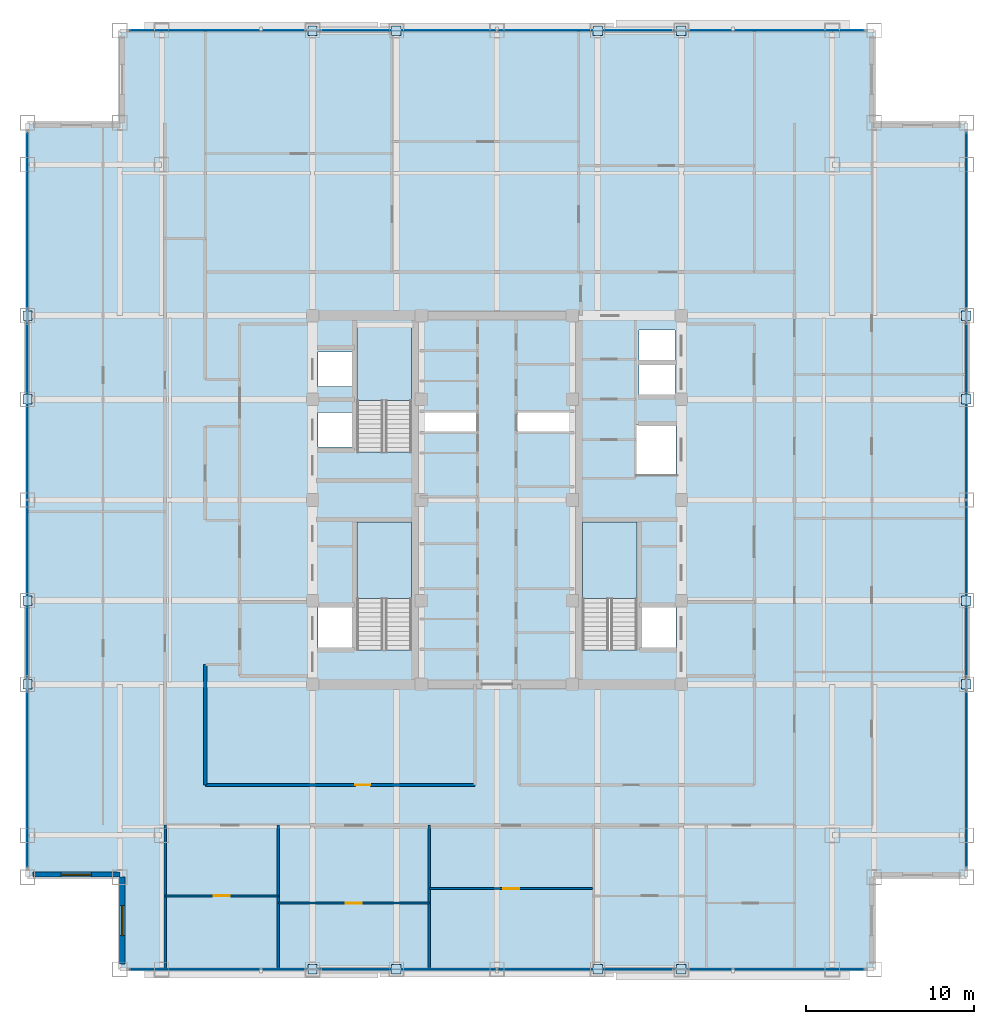
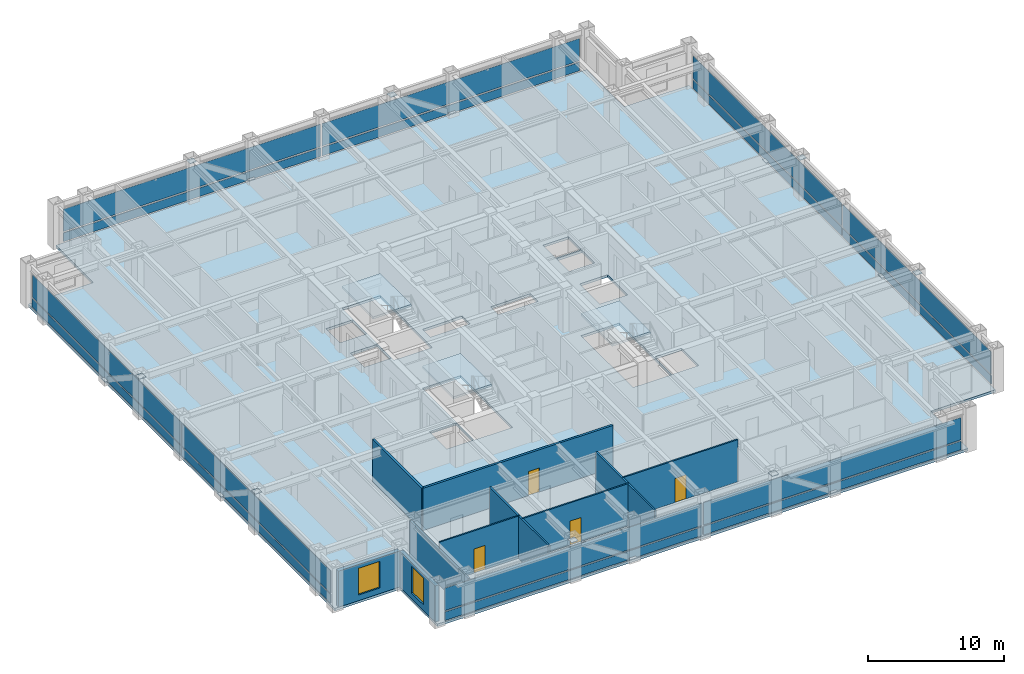
# One storey, part 17 of 27: 32 plates, 10 walls, 4 doors, 4 slabs, 2 windows, 6 openings, 7 elements without a shape of their own.
"""IFC4 building model written with IfcOpenShell, lengths in metres."""

from ifc_helpers import new_model, si_unit, direction, frame, frame_2d, origin, origin_2d, place, context, subcontext, project, spatial, polyline, rectangle, outline, extrude, source, transform, mapped, material, layer, layer_set, type_object, element, fill, aggregate, save


model = new_model("IFC4")

# Units and contexts
model_context = context("Model", 3, precision=1e-05, world=origin(), true_north=direction((0.0, 1.0)))
body_context = subcontext(model_context, "Body", "Model", "MODEL_VIEW")
ifc_project = project(units=[si_unit("LENGTHUNIT", "METRE"), si_unit("AREAUNIT", "SQUARE_METRE"), si_unit("VOLUMEUNIT", "CUBIC_METRE"), si_unit("PLANEANGLEUNIT", "RADIAN"), si_unit("MASSUNIT", "GRAM", prefix="KILO")], contexts=[model_context])

# Site, building, storey
site_placement = place(None, origin())
site = spatial("IfcSite", under=ifc_project, at=site_placement, CompositionType="ELEMENT")
building_placement = place(site_placement, origin())
building = spatial("IfcBuilding", under=site, at=building_placement, Name="Khorayat Bourse Tower", CompositionType="ELEMENT")
storey_placement = place(building_placement, frame((0.0, 0.0, 285.5)))
storey = spatial("IfcBuildingStorey", under=building, at=storey_placement, Name="L67", CompositionType="ELEMENT", Elevation=285.5)

# Stair, slab
ifc_material_1 = material(Name="Concrete C40/50", Category="concrete")
stair_type = type_object("IfcStairType", Name="STR-CORE-1550", PredefinedType="HALF_TURN_STAIR", material=ifc_material_1)
stair_1_placement = place(storey_placement, origin())
stair_1 = element("IfcStair", 1, at=stair_1_placement, inside=storey, type_object=stair_type, Name="L67 Exit Stair ST-1", PredefinedType="HALF_TURN_STAIR")
ifc_layer_1 = layer(ifc_material_1, 0.199951171875)
ifc_layer_set_1 = layer_set([ifc_layer_1], Name="Concrete C40/50")
slab_type_1 = type_object("IfcSlabType", Name="SLB-LANDING-200", PredefinedType="LANDING", material=ifc_layer_set_1)
slab_1_placement = place(storey_placement, frame((0.0, 0.0, 1.800048828125)))
slab_1 = element("IfcSlab", 2, at=slab_1_placement, type_object=slab_type_1, Name="ST-1 landing 1", PredefinedType="LANDING", context=body_context, shape_type="SweptSolid", body=[
    extrude(outline(polyline([(-5.10009765625, -5.8701171875), (-5.10009765625, -1.300048828125), (-8.35009765625, -1.300048828125), (-8.35009765625, -5.8701171875), (-5.10009765625, -5.8701171875)])), origin(), (0.0, 0.0, 1.0), 0.199951171875),
])
aggregate(stair_1, [slab_1])

stair_2_placement = place(storey_placement, origin())
stair_2 = element("IfcStair", 3, at=stair_2_placement, inside=storey, type_object=stair_type, Name="L67 Exit Stair ST-2", PredefinedType="HALF_TURN_STAIR")
slab_2_placement = place(storey_placement, frame((0.0, 0.0, 1.800048828125)))
slab_2 = element("IfcSlab", 4, at=slab_2_placement, type_object=slab_type_1, Name="ST-2 landing 1", PredefinedType="LANDING", context=body_context, shape_type="SweptSolid", body=[
    extrude(outline(polyline([(-5.10009765625, 5.929931640625), (-5.10009765625, 10.5), (-8.35009765625, 10.5), (-8.35009765625, 5.929931640625), (-5.10009765625, 5.929931640625)])), origin(), (0.0, 0.0, 1.0), 0.199951171875),
])
aggregate(stair_2, [slab_2])

stair_3_placement = place(storey_placement, origin())
stair_3 = element("IfcStair", 5, at=stair_3_placement, inside=storey, type_object=stair_type, Name="L67 Exit Stair ST-3", PredefinedType="HALF_TURN_STAIR")
slab_3_placement = place(storey_placement, frame((0.0, 0.0, 1.800048828125)))
slab_3 = element("IfcSlab", 6, at=slab_3_placement, type_object=slab_type_1, Name="ST-3 landing 1", PredefinedType="LANDING", context=body_context, shape_type="SweptSolid", body=[
    extrude(outline(polyline([(8.35009765625, -5.8701171875), (8.35009765625, -1.300048828125), (5.10009765625, -1.300048828125), (5.10009765625, -5.8701171875), (8.35009765625, -5.8701171875)])), origin(), (0.0, 0.0, 1.0), 0.199951171875),
])
aggregate(stair_3, [slab_3])

# Slab
ifc_layer_2 = layer(ifc_material_1, 0.219970703125)
ifc_layer_set_2 = layer_set([ifc_layer_2], Name="Concrete C40/50")
slab_type_2 = type_object("IfcSlabType", Name="SLB-OFFICE-220", PredefinedType="FLOOR", material=ifc_layer_set_2)
slab_4_placement = place(storey_placement, frame((0.0, 0.0, -0.219970703125)))
element("IfcSlab", 7, at=slab_4_placement, inside=storey, type_object=slab_type_2, Name="L67 Main Floor Slab", PredefinedType="FLOOR", context=body_context, shape_type="SweptSolid", body=[
    extrude(outline(polyline([(-22.5, -28.0), (22.5, -28.0), (22.5, -22.5), (28.0, -22.5), (28.0, 22.5), (22.5, 22.5), (22.5, 28.0), (-22.5, 28.0), (-22.5, 22.5), (-28.0, 22.5), (-28.0, -22.5), (-22.5, -22.5), (-22.5, -28.0)]), holes=[polyline([(-8.35009765625, -8.945068359375), (-5.10009765625, -8.945068359375), (-5.10009765625, -1.300048828125), (-8.35009765625, -1.300048828125), (-8.35009765625, -8.945068359375)]), polyline([(-8.35009765625, 2.85498046875), (-5.10009765625, 2.85498046875), (-5.10009765625, 10.5), (-8.35009765625, 10.5), (-8.35009765625, 2.85498046875)]), polyline([(5.10009765625, -8.945068359375), (8.35009765625, -8.945068359375), (8.35009765625, -1.300048828125), (5.10009765625, -1.300048828125), (5.10009765625, -8.945068359375)]), polyline([(-10.679931640625, 3.169921875), (-8.419921875, 3.169921875), (-8.419921875, 5.22998046875), (-10.679931640625, 5.22998046875), (-10.679931640625, 3.169921875)]), polyline([(-10.679931640625, 6.77001953125), (-8.419921875, 6.77001953125), (-8.419921875, 8.830078125), (-10.679931640625, 8.830078125), (-10.679931640625, 6.77001953125)]), polyline([(8.469970703125, 6.27001953125), (10.6298828125, 6.27001953125), (10.6298828125, 8.1298828125), (8.469970703125, 8.1298828125), (8.469970703125, 6.27001953125)]), polyline([(8.469970703125, 8.27001953125), (10.6298828125, 8.27001953125), (10.6298828125, 10.1298828125), (8.469970703125, 10.1298828125), (8.469970703125, 8.27001953125)]), polyline([(-10.679931640625, -8.929931640625), (-8.419921875, -8.929931640625), (-8.419921875, -6.3701171875), (-10.679931640625, -6.3701171875), (-10.679931640625, -8.929931640625)]), polyline([(8.419921875, -8.929931640625), (10.679931640625, -8.929931640625), (10.679931640625, -6.3701171875), (8.419921875, -6.3701171875), (8.419921875, -8.929931640625)]), polyline([(8.320068359375, 1.52001953125), (10.679931640625, 1.52001953125), (10.679931640625, 4.47998046875), (8.320068359375, 4.47998046875), (8.320068359375, 1.52001953125)]), polyline([(-4.56005859375, 4.080078125), (-1.18994140625, 4.080078125), (-1.18994140625, 5.219970703125), (-4.56005859375, 5.219970703125), (-4.56005859375, 4.080078125)]), polyline([(1.18994140625, 4.080078125), (4.56005859375, 4.080078125), (4.56005859375, 5.219970703125), (1.18994140625, 5.219970703125), (1.18994140625, 4.080078125)])]), origin(), (0.0, 0.0, 1.0), 0.219970703125),
])

# Plates
ifc_material_2 = material(Name="Steel EN 10025-2 S355J2", Category="steel")
ifc_layer_3 = layer(ifc_material_2, 0.02490234375)
ifc_layer_set_3 = layer_set([ifc_layer_3], Name="Steel EN 10025-2 S355J2")
plate_type_1 = type_object("IfcPlateType", Name="PLT-ENDCAP-25", PredefinedType="SHEET", material=ifc_layer_set_3)
shared_shape_1 = source(origin(), body_context, "Body", "SweptSolid", [
    extrude(rectangle(XDim=0.56005859375, YDim=0.56005859375, at=origin_2d()), origin(), (0.0, 0.0, 1.0), 0.02490234375),
])
for number, where, z_axis, x_axis, name in (
    (8, (-11.0, -28.0, 3.517578125), (0.0, 0.0, 1.0), (1.0, 0.0, 0.0), "L67 Perimeter Brace End Plate 001"),
    (9, (-6.0, -28.0, 0.237548828125), (0.0, 0.0, 1.0), (1.0, 0.0, 0.0), "L67 Perimeter Brace End Plate 002"),
    (10, (6.0, -28.0, 3.517578125), (0.0, 0.0, 1.0), (1.0, 0.0, 0.0), "L67 Perimeter Brace End Plate 003"),
    (11, (11.0, -28.0, 0.237548828125), (0.0, 0.0, 1.0), (1.0, 0.0, 0.0), "L67 Perimeter Brace End Plate 004"),
    (12, (-11.0, 28.0, 3.517578125), (0.0, 0.0, 1.0), (1.0, 0.0, 0.0), "L67 Perimeter Brace End Plate 005"),
    (13, (-6.0, 28.0, 0.237548828125), (0.0, 0.0, 1.0), (1.0, 0.0, 0.0), "L67 Perimeter Brace End Plate 006"),
    (14, (6.0, 28.0, 3.517578125), (0.0, 0.0, 1.0), (1.0, 0.0, 0.0), "L67 Perimeter Brace End Plate 007"),
    (15, (11.0, 28.0, 0.237548828125), (0.0, 0.0, 1.0), (1.0, 0.0, 0.0), "L67 Perimeter Brace End Plate 008"),
    (16, (-28.0, -11.0, 3.517578125), (0.0, 0.0, 1.0), (1.0, 0.0, 0.0), "L67 Perimeter Brace End Plate 009"),
    (17, (-28.0, -6.0, 0.237548828125), (0.0, 0.0, 1.0), (1.0, 0.0, 0.0), "L67 Perimeter Brace End Plate 010"),
    (18, (-28.0, 6.0, 3.517578125), (0.0, 0.0, 1.0), (1.0, 0.0, 0.0), "L67 Perimeter Brace End Plate 011"),
    (19, (-28.0, 11.0, 0.237548828125), (0.0, 0.0, 1.0), (1.0, 0.0, 0.0), "L67 Perimeter Brace End Plate 012"),
    (20, (28.0, -11.0, 3.517578125), (0.0, 0.0, 1.0), (1.0, 0.0, 0.0), "L67 Perimeter Brace End Plate 013"),
    (21, (28.0, -6.0, 0.237548828125), (0.0, 0.0, 1.0), (1.0, 0.0, 0.0), "L67 Perimeter Brace End Plate 014"),
    (22, (28.0, 6.0, 3.517578125), (0.0, 0.0, 1.0), (1.0, 0.0, 0.0), "L67 Perimeter Brace End Plate 015"),
    (23, (28.0, 11.0, 0.237548828125), (0.0, 0.0, 1.0), (1.0, 0.0, 0.0), "L67 Perimeter Brace End Plate 016"),
):
    element("IfcPlate", number, at=place(storey_placement, frame(where, z_axis=z_axis, x_axis=x_axis)), inside=storey, type_object=plate_type_1, Name=name, PredefinedType="SHEET", context=body_context, shape_type="MappedRepresentation", body=[
        mapped(shared_shape_1, transform((0.0, 0.0, 0.0), scale=1.0)),
    ])

# Curtain wall, plates
ifc_material_3 = material(Name="Aluminium EN AW-6063 T6", Category="aluminium")
curtain_wall_type = type_object("IfcCurtainWallType", Name="CW-SYS-04", PredefinedType="NOTDEFINED", material=ifc_material_3)
curtain_wall_1_placement = place(storey_placement, origin())
curtain_wall_1 = element("IfcCurtainWall", 24, at=curtain_wall_1_placement, inside=storey, type_object=curtain_wall_type, Name="L67 Curtain Wall CW-L67-S1", PredefinedType="NOTDEFINED")
ifc_material_4 = material(Name="Honed desert limestone insulated spandrel", Category="masonry")
ifc_layer_4 = layer(ifc_material_4, 0.06494140625)
ifc_layer_set_4 = layer_set([ifc_layer_4], Name="Honed desert limestone insulated spandrel")
plate_type_2 = type_object("IfcPlateType", Name="CWP-SPAND-03", PredefinedType="CURTAIN_PANEL", material=ifc_layer_set_4)
shared_shape_2 = source(origin(), body_context, "Body", "SweptSolid", [
    extrude(rectangle(XDim=21.820068359375, YDim=0.06494140625, at=origin_2d()), origin(), (0.0, 0.0, 1.0), 0.77001953125),
])
plate_1_placement = place(storey_placement, frame((-10.969970703125, -28.0, 0.119873046875), z_axis=(0.0, 0.0, 1.0), x_axis=(1.0, 0.0, 0.0)))
plate_1 = element("IfcPlate", 25, at=plate_1_placement, type_object=plate_type_2, Name="CW-L67-S1 Spandrel Panel 1-1", PredefinedType="CURTAIN_PANEL", context=body_context, shape_type="MappedRepresentation", body=[
    mapped(shared_shape_2, transform((0.0, 0.0, 0.0), scale=1.0)),
])
plate_2_placement = place(storey_placement, frame((10.969970703125, -28.0, 0.119873046875), z_axis=(0.0, 0.0, 1.0), x_axis=(1.0, 0.0, 0.0)))
plate_2 = element("IfcPlate", 26, at=plate_2_placement, type_object=plate_type_2, Name="CW-L67-S1 Spandrel Panel 2-1", PredefinedType="CURTAIN_PANEL", context=body_context, shape_type="MappedRepresentation", body=[
    mapped(shared_shape_2, transform((0.0, 0.0, 0.0), scale=1.0)),
])

curtain_wall_2_placement = place(storey_placement, origin())
curtain_wall_2 = element("IfcCurtainWall", 27, at=curtain_wall_2_placement, inside=storey, type_object=curtain_wall_type, Name="L67 Curtain Wall CW-L67-N1", PredefinedType="NOTDEFINED")
plate_3_placement = place(storey_placement, frame((-10.969970703125, 28.0, 0.119873046875), z_axis=(0.0, 0.0, 1.0), x_axis=(1.0, 0.0, 0.0)))
plate_3 = element("IfcPlate", 28, at=plate_3_placement, type_object=plate_type_2, Name="CW-L67-N1 Spandrel Panel 1-1", PredefinedType="CURTAIN_PANEL", context=body_context, shape_type="MappedRepresentation", body=[
    mapped(shared_shape_2, transform((0.0, 0.0, 0.0), scale=1.0)),
])
plate_4_placement = place(storey_placement, frame((10.969970703125, 28.0, 0.119873046875), z_axis=(0.0, 0.0, 1.0), x_axis=(1.0, 0.0, 0.0)))
plate_4 = element("IfcPlate", 29, at=plate_4_placement, type_object=plate_type_2, Name="CW-L67-N1 Spandrel Panel 2-1", PredefinedType="CURTAIN_PANEL", context=body_context, shape_type="MappedRepresentation", body=[
    mapped(shared_shape_2, transform((0.0, 0.0, 0.0), scale=1.0)),
])

curtain_wall_3_placement = place(storey_placement, origin())
curtain_wall_3 = element("IfcCurtainWall", 30, at=curtain_wall_3_placement, inside=storey, type_object=curtain_wall_type, Name="L67 Curtain Wall CW-L67-W1", PredefinedType="NOTDEFINED")
plate_5_placement = place(storey_placement, frame((-28.0, -10.969970703125, 0.119873046875), z_axis=(0.0, 0.0, 1.0), x_axis=(0.0, 1.0, 0.0)))
plate_5 = element("IfcPlate", 31, at=plate_5_placement, type_object=plate_type_2, Name="CW-L67-W1 Spandrel Panel 1-1", PredefinedType="CURTAIN_PANEL", context=body_context, shape_type="MappedRepresentation", body=[
    mapped(shared_shape_2, transform((0.0, 0.0, 0.0), scale=1.0)),
])
plate_6_placement = place(storey_placement, frame((-28.0, 10.969970703125, 0.119873046875), z_axis=(0.0, 0.0, 1.0), x_axis=(0.0, 1.0, 0.0)))
plate_6 = element("IfcPlate", 32, at=plate_6_placement, type_object=plate_type_2, Name="CW-L67-W1 Spandrel Panel 2-1", PredefinedType="CURTAIN_PANEL", context=body_context, shape_type="MappedRepresentation", body=[
    mapped(shared_shape_2, transform((0.0, 0.0, 0.0), scale=1.0)),
])

curtain_wall_4_placement = place(storey_placement, origin())
curtain_wall_4 = element("IfcCurtainWall", 33, at=curtain_wall_4_placement, inside=storey, type_object=curtain_wall_type, Name="L67 Curtain Wall CW-L67-E1", PredefinedType="NOTDEFINED")
plate_7_placement = place(storey_placement, frame((28.0, -10.969970703125, 0.119873046875), z_axis=(0.0, 0.0, 1.0), x_axis=(0.0, 1.0, 0.0)))
plate_7 = element("IfcPlate", 34, at=plate_7_placement, type_object=plate_type_2, Name="CW-L67-E1 Spandrel Panel 1-1", PredefinedType="CURTAIN_PANEL", context=body_context, shape_type="MappedRepresentation", body=[
    mapped(shared_shape_2, transform((0.0, 0.0, 0.0), scale=1.0)),
])
plate_8_placement = place(storey_placement, frame((28.0, 10.969970703125, 0.119873046875), z_axis=(0.0, 0.0, 1.0), x_axis=(0.0, 1.0, 0.0)))
plate_8 = element("IfcPlate", 35, at=plate_8_placement, type_object=plate_type_2, Name="CW-L67-E1 Spandrel Panel 2-1", PredefinedType="CURTAIN_PANEL", context=body_context, shape_type="MappedRepresentation", body=[
    mapped(shared_shape_2, transform((0.0, 0.0, 0.0), scale=1.0)),
])

# Plate
ifc_material_5 = material(Name="Low-E solar-control laminated double glazing", Category="glass")
ifc_layer_5 = layer(ifc_material_5, 0.0419921875)
ifc_layer_set_5 = layer_set([ifc_layer_5], Name="Low-E solar-control laminated double glazing")
plate_type_3 = type_object("IfcPlateType", Name="CWP-FACET-02", PredefinedType="CURTAIN_PANEL", material=ifc_layer_set_5)
shared_shape_3 = source(origin(), body_context, "Body", "SweptSolid", [
    extrude(rectangle(XDim=21.820068359375, YDim=0.0419921875, at=origin_2d()), origin(), (0.0, 0.0, 1.0), 2.0),
])
plate_9_placement = place(storey_placement, frame((-10.969970703125, -28.0, 1.010009765625), z_axis=(0.0, 0.0, 1.0), x_axis=(1.0, 0.0, 0.0)))
plate_9 = element("IfcPlate", 36, at=plate_9_placement, type_object=plate_type_3, Name="CW-L67-S1 Vision Panel 1-2", PredefinedType="CURTAIN_PANEL", context=body_context, shape_type="MappedRepresentation", body=[
    mapped(shared_shape_3, transform((0.0, 0.0, 0.0), scale=1.0)),
])

plate_10_placement = place(storey_placement, frame((10.969970703125, -28.0, 1.010009765625), z_axis=(0.0, 0.0, 1.0), x_axis=(1.0, 0.0, 0.0)))
plate_10 = element("IfcPlate", 37, at=plate_10_placement, type_object=plate_type_3, Name="CW-L67-S1 Vision Panel 2-2", PredefinedType="CURTAIN_PANEL", context=body_context, shape_type="MappedRepresentation", body=[
    mapped(shared_shape_3, transform((0.0, 0.0, 0.0), scale=1.0)),
])

aggregate(curtain_wall_1, [plate_1, plate_9, plate_2, plate_10])

plate_11_placement = place(storey_placement, frame((-10.969970703125, 28.0, 1.010009765625), z_axis=(0.0, 0.0, 1.0), x_axis=(1.0, 0.0, 0.0)))
plate_11 = element("IfcPlate", 38, at=plate_11_placement, type_object=plate_type_3, Name="CW-L67-N1 Vision Panel 1-2", PredefinedType="CURTAIN_PANEL", context=body_context, shape_type="MappedRepresentation", body=[
    mapped(shared_shape_3, transform((0.0, 0.0, 0.0), scale=1.0)),
])

plate_12_placement = place(storey_placement, frame((10.969970703125, 28.0, 1.010009765625), z_axis=(0.0, 0.0, 1.0), x_axis=(1.0, 0.0, 0.0)))
plate_12 = element("IfcPlate", 39, at=plate_12_placement, type_object=plate_type_3, Name="CW-L67-N1 Vision Panel 2-2", PredefinedType="CURTAIN_PANEL", context=body_context, shape_type="MappedRepresentation", body=[
    mapped(shared_shape_3, transform((0.0, 0.0, 0.0), scale=1.0)),
])

aggregate(curtain_wall_2, [plate_3, plate_11, plate_4, plate_12])

plate_13_placement = place(storey_placement, frame((-28.0, -10.969970703125, 1.010009765625), z_axis=(0.0, 0.0, 1.0), x_axis=(0.0, 1.0, 0.0)))
plate_13 = element("IfcPlate", 40, at=plate_13_placement, type_object=plate_type_3, Name="CW-L67-W1 Vision Panel 1-2", PredefinedType="CURTAIN_PANEL", context=body_context, shape_type="MappedRepresentation", body=[
    mapped(shared_shape_3, transform((0.0, 0.0, 0.0), scale=1.0)),
])

plate_14_placement = place(storey_placement, frame((-28.0, 10.969970703125, 1.010009765625), z_axis=(0.0, 0.0, 1.0), x_axis=(0.0, 1.0, 0.0)))
plate_14 = element("IfcPlate", 41, at=plate_14_placement, type_object=plate_type_3, Name="CW-L67-W1 Vision Panel 2-2", PredefinedType="CURTAIN_PANEL", context=body_context, shape_type="MappedRepresentation", body=[
    mapped(shared_shape_3, transform((0.0, 0.0, 0.0), scale=1.0)),
])

aggregate(curtain_wall_3, [plate_5, plate_13, plate_6, plate_14])

plate_15_placement = place(storey_placement, frame((28.0, -10.969970703125, 1.010009765625), z_axis=(0.0, 0.0, 1.0), x_axis=(0.0, 1.0, 0.0)))
plate_15 = element("IfcPlate", 42, at=plate_15_placement, type_object=plate_type_3, Name="CW-L67-E1 Vision Panel 1-2", PredefinedType="CURTAIN_PANEL", context=body_context, shape_type="MappedRepresentation", body=[
    mapped(shared_shape_3, transform((0.0, 0.0, 0.0), scale=1.0)),
])

plate_16_placement = place(storey_placement, frame((28.0, 10.969970703125, 1.010009765625), z_axis=(0.0, 0.0, 1.0), x_axis=(0.0, 1.0, 0.0)))
plate_16 = element("IfcPlate", 43, at=plate_16_placement, type_object=plate_type_3, Name="CW-L67-E1 Vision Panel 2-2", PredefinedType="CURTAIN_PANEL", context=body_context, shape_type="MappedRepresentation", body=[
    mapped(shared_shape_3, transform((0.0, 0.0, 0.0), scale=1.0)),
])

aggregate(curtain_wall_4, [plate_7, plate_15, plate_8, plate_16])

# Wall, opening, window
ifc_material_6 = material(Name="Precast concrete C45/55", Category="concrete")
ifc_layer_6 = layer(ifc_material_6, 0.320068359375)
ifc_layer_set_6 = layer_set([ifc_layer_6], Name="Precast concrete C45/55")
wall_type_1 = type_object("IfcWallType", Name="WAL-EXT-STONE-320", PredefinedType="STANDARD", material=ifc_layer_set_6)
shared_shape_4 = source(origin(), body_context, "Body", "SweptSolid", [
    extrude(rectangle(XDim=5.179931640625, YDim=0.320068359375, at=frame_2d((2.58984375, 0.0))), origin(), (0.0, 0.0, 1.0), 3.23095703125),
])
wall_1_placement = place(storey_placement, frame((-22.5, -22.340087890625, 0.0), z_axis=(0.0, 0.0, 1.0), x_axis=(-1.0, 0.0, 0.0)))
wall_1 = element("IfcWall", 44, at=wall_1_placement, inside=storey, type_object=wall_type_1, Name="L67 Re-Entrant Notch Limestone Wall SW-H", PredefinedType="STANDARD", context=body_context, shape_type="MappedRepresentation", body=[
    mapped(shared_shape_4, transform((0.0, 0.0, 0.0), scale=1.0)),
])
shared_shape_5 = source(origin(), body_context, "Body", "SweptSolid", [
    extrude(rectangle(XDim=1.800048828125, YDim=2.39990234375, at=frame_2d((0.89990234375, 1.199951171875))), frame((0.0, 0.169921875, 0.0), z_axis=(0.0, -1.0, 0.0), x_axis=(1.0, 0.0, 0.0)), (0.0, 0.0, 1.0), 0.340087890625),
])
opening_1_placement = place(wall_1_placement, frame((1.68994140625, 0.0, 0.5)))
opening_1 = element("IfcOpeningElement", 45, at=opening_1_placement, cuts=wall_1, Name="Opening WN-04", PredefinedType="OPENING", context=body_context, shape_type="MappedRepresentation", body=[
    mapped(shared_shape_5, transform((0.0, 0.0, 0.0), scale=1.0)),
])
ifc_material_7 = material(Name="Low-E acoustic laminated double glazing", Category="glass")
window_type = type_object("IfcWindowType", Name="WIN-NOTCH-1800x2400", PartitioningType="SINGLE_PANEL", PredefinedType="WINDOW", material=ifc_material_7)
shared_shape_6 = source(origin(), body_context, "Body", "SweptSolid", [
    extrude(rectangle(XDim=1.800048828125, YDim=2.39990234375, at=frame_2d((0.89990234375, 1.199951171875))), frame((0.0, 0.030029296875, 0.0), z_axis=(0.0, -1.0, 0.0), x_axis=(1.0, 0.0, 0.0)), (0.0, 0.0, 1.0), 0.06005859375),
])
window_1_placement = place(opening_1_placement, origin())
window_1 = element("IfcWindow", 46, at=window_1_placement, inside=storey, type_object=window_type, Name="L67 Facade Window 1", OverallHeight=2.39990234375, OverallWidth=1.800048828125, PartitioningType="SINGLE_PANEL", PredefinedType="WINDOW", context=body_context, shape_type="MappedRepresentation", body=[
    mapped(shared_shape_6, transform((0.0, 0.0, 0.0), scale=1.0)),
])
fill(opening_1, window_1)

wall_2_placement = place(storey_placement, frame((-22.340087890625, -27.679931640625, 0.0), z_axis=(0.0, 0.0, 1.0), x_axis=(0.0, 1.0, 0.0)))
wall_2 = element("IfcWall", 47, at=wall_2_placement, inside=storey, type_object=wall_type_1, Name="L67 Re-Entrant Notch Limestone Wall SW-V", PredefinedType="STANDARD", context=body_context, shape_type="MappedRepresentation", body=[
    mapped(shared_shape_4, transform((0.0, 0.0, 0.0), scale=1.0)),
])
opening_2_placement = place(wall_2_placement, frame((1.68994140625, 0.0, 0.5)))
opening_2 = element("IfcOpeningElement", 48, at=opening_2_placement, cuts=wall_2, Name="Opening WN-04", PredefinedType="OPENING", context=body_context, shape_type="MappedRepresentation", body=[
    mapped(shared_shape_5, transform((0.0, 0.0, 0.0), scale=1.0)),
])
window_2_placement = place(opening_2_placement, origin())
window_2 = element("IfcWindow", 49, at=window_2_placement, inside=storey, type_object=window_type, Name="L67 Facade Window 1", OverallHeight=2.39990234375, OverallWidth=1.800048828125, PartitioningType="SINGLE_PANEL", PredefinedType="WINDOW", context=body_context, shape_type="MappedRepresentation", body=[
    mapped(shared_shape_6, transform((0.0, 0.0, 0.0), scale=1.0)),
])
fill(opening_2, window_2)

# Wall, opening, door
ifc_material_8 = material(Name="Gypsum plasterboard acoustic stud wall")
ifc_layer_7 = layer(ifc_material_8, 0.179931640625)
ifc_layer_set_7 = layer_set([ifc_layer_7], Name="Gypsum plasterboard acoustic stud wall")
wall_type_2 = type_object("IfcWallType", Name="WAL-PART-CORR-180", PredefinedType="PARTITIONING", material=ifc_layer_set_7)
shared_shape_7 = source(origin(), body_context, "Body", "SweptSolid", [
    extrude(rectangle(XDim=16.099853515625, YDim=0.179931640625, at=frame_2d((8.0498046875, 0.0))), origin(), (0.0, 0.0, 1.0), 3.780029296875),
])
wall_3_placement = place(storey_placement, frame((-17.39990234375, -17.0, 0.0), z_axis=(0.0, 0.0, 1.0), x_axis=(1.0, 0.0, 0.0)))
wall_3 = element("IfcWall", 50, at=wall_3_placement, inside=storey, type_object=wall_type_2, Name="L67 Partition WAL-L67-PKSW-S", PredefinedType="PARTITIONING", context=body_context, shape_type="MappedRepresentation", body=[
    mapped(shared_shape_7, transform((0.0, 0.0, 0.0), scale=1.0)),
])
shared_shape_8 = source(origin(), body_context, "Body", "SweptSolid", [
    extrude(rectangle(XDim=0.89990234375, YDim=2.14990234375, at=frame_2d((0.449951171875, 1.074951171875))), frame((0.0, 0.099853515625, 0.0), z_axis=(0.0, -1.0, 0.0), x_axis=(1.0, 0.0, 0.0)), (0.0, 0.0, 1.0), 0.199951171875),
])
opening_3_placement = place(wall_3_placement, frame((8.949951171875, 0.0, 0.0)))
opening_3 = element("IfcOpeningElement", 51, at=opening_3_placement, cuts=wall_3, Name="Opening DI-06", PredefinedType="OPENING", context=body_context, shape_type="MappedRepresentation", body=[
    mapped(shared_shape_8, transform((0.0, 0.0, 0.0), scale=1.0)),
])
ifc_material_9 = material(Name="Moisture-resistant laminate washroom door")
door_type_1 = type_object("IfcDoorType", Name="DR-INT-WC-900", OperationType="NOTDEFINED", PredefinedType="DOOR", material=ifc_material_9)
shared_shape_9 = source(origin(), body_context, "Body", "SweptSolid", [
    extrude(rectangle(XDim=0.89990234375, YDim=2.14990234375, at=frame_2d((0.449951171875, 1.074951171875))), frame((0.0, 0.02490234375, 0.0), z_axis=(0.0, -1.0, 0.0), x_axis=(1.0, 0.0, 0.0)), (0.0, 0.0, 1.0), 0.050048828125),
])
door_1_placement = place(opening_3_placement, origin())
door_1 = element("IfcDoor", 52, at=door_1_placement, inside=storey, type_object=door_type_1, Name="L67 SW Inboard Pantry Door", OperationType="SINGLE_SWING_LEFT", OverallHeight=2.14990234375, OverallWidth=0.89990234375, PredefinedType="DOOR", context=body_context, shape_type="MappedRepresentation", body=[
    mapped(shared_shape_9, transform((0.0, 0.0, 0.0), scale=1.0)),
])
fill(opening_3, door_1)

# Wall
shared_shape_10 = source(origin(), body_context, "Body", "SweptSolid", [
    extrude(rectangle(XDim=7.199951171875, YDim=0.179931640625, at=frame_2d((3.60009765625, 0.0))), origin(), (0.0, 0.0, 1.0), 3.780029296875),
])
wall_4_placement = place(storey_placement, frame((-17.39990234375, -17.0, 0.0), z_axis=(0.0, 0.0, 1.0), x_axis=(0.0, 1.0, 0.0)))
element("IfcWall", 53, at=wall_4_placement, inside=storey, type_object=wall_type_2, Name="L67 Partition WAL-L67-PKSW-W", PredefinedType="PARTITIONING", context=body_context, shape_type="MappedRepresentation", body=[
    mapped(shared_shape_10, transform((0.0, 0.0, 0.0), scale=1.0)),
])

# Wall, opening, door
ifc_material_10 = material(Name="Gypsum plasterboard partition")
ifc_layer_8 = layer(ifc_material_10, 0.125)
ifc_layer_set_8 = layer_set([ifc_layer_8], Name="Gypsum plasterboard partition")
wall_type_3 = type_object("IfcWallType", Name="WAL-PART-ROOM-125", PredefinedType="PARTITIONING", material=ifc_layer_set_8)
shared_shape_11 = source(origin(), body_context, "Body", "SweptSolid", [
    extrude(rectangle(XDim=6.759033203125, YDim=0.125, at=frame_2d((3.37939453125, 0.0))), origin(), (0.0, 0.0, 1.0), 3.780029296875),
])
wall_5_placement = place(storey_placement, frame((-19.800048828125, -23.614013671875, 0.0), z_axis=(0.0, 0.0, 1.0), x_axis=(1.0, 0.0, 0.0)))
wall_5 = element("IfcWall", 54, at=wall_5_placement, inside=storey, type_object=wall_type_3, Name="L67 Partition WAL-L67-SDP-1", PredefinedType="PARTITIONING", context=body_context, shape_type="MappedRepresentation", body=[
    mapped(shared_shape_11, transform((0.0, 0.0, 0.0), scale=1.0)),
])
shared_shape_12 = source(origin(), body_context, "Body", "SweptSolid", [
    extrude(rectangle(XDim=0.949951171875, YDim=2.14990234375, at=frame_2d((0.47509765625, 1.074951171875))), frame((0.0, 0.072509765625, 0.0), z_axis=(0.0, -1.0, 0.0), x_axis=(1.0, 0.0, 0.0)), (0.0, 0.0, 1.0), 0.14501953125),
])
opening_4_placement = place(wall_5_placement, frame((2.904541015625, 0.0, 0.0)))
opening_4 = element("IfcOpeningElement", 55, at=opening_4_placement, cuts=wall_5, Name="Opening DI-05", PredefinedType="OPENING", context=body_context, shape_type="MappedRepresentation", body=[
    mapped(shared_shape_12, transform((0.0, 0.0, 0.0), scale=1.0)),
])
ifc_material_11 = material(Name="Acoustic oak veneer office door")
door_type_2 = type_object("IfcDoorType", Name="DR-INT-OFFICE-950", OperationType="NOTDEFINED", PredefinedType="DOOR", material=ifc_material_11)
shared_shape_13 = source(origin(), body_context, "Body", "SweptSolid", [
    extrude(rectangle(XDim=0.949951171875, YDim=2.14990234375, at=frame_2d((0.47509765625, 1.074951171875))), frame((0.0, 0.02490234375, 0.0), z_axis=(0.0, -1.0, 0.0), x_axis=(1.0, 0.0, 0.0)), (0.0, 0.0, 1.0), 0.050048828125),
])
door_2_placement = place(opening_4_placement, origin())
door_2 = element("IfcDoor", 56, at=door_2_placement, inside=storey, type_object=door_type_2, Name="L67 Clearing Operations Office S1B Door", OperationType="SINGLE_SWING_RIGHT", OverallHeight=2.14990234375, OverallWidth=0.949951171875, PredefinedType="DOOR", context=body_context, shape_type="MappedRepresentation", body=[
    mapped(shared_shape_13, transform((0.0, 0.0, 0.0), scale=1.0)),
])
fill(opening_4, door_2)

# Walls
ifc_material_12 = material(Name="Gypsum plasterboard twin-frame partition")
ifc_layer_9 = layer(ifc_material_12, 0.14990234375)
ifc_layer_set_9 = layer_set([ifc_layer_9], Name="Gypsum plasterboard twin-frame partition")
wall_type_4 = type_object("IfcWallType", Name="WAL-PART-SUITE-150", PredefinedType="PARTITIONING", material=ifc_layer_set_9)
shared_shape_14 = source(origin(), body_context, "Body", "SweptSolid", [
    extrude(rectangle(XDim=8.60009765625, YDim=0.14990234375, at=frame_2d((4.300048828125, 0.0))), origin(), (0.0, 0.0, 1.0), 3.780029296875),
])
for number, where, z_axis, x_axis, name in (
    (57, (-13.041015625, -28.0, 0.0), (0.0, 0.0, 1.0), (0.0, 1.0, 0.0), "L67 Partition WAL-L67-SDV-1"),
    (58, (-4.029052734375, -28.0, 0.0), (0.0, 0.0, 1.0), (0.0, 1.0, 0.0), "L67 Partition WAL-L67-SDV-2"),
):
    element("IfcWall", number, at=place(storey_placement, frame(where, z_axis=z_axis, x_axis=x_axis)), inside=storey, type_object=wall_type_4, Name=name, PredefinedType="PARTITIONING", context=body_context, shape_type="MappedRepresentation", body=[
        mapped(shared_shape_14, transform((0.0, 0.0, 0.0), scale=1.0)),
    ])

# Wall, opening, door
shared_shape_15 = source(origin(), body_context, "Body", "SweptSolid", [
    extrude(rectangle(XDim=9.011962890625, YDim=0.125, at=frame_2d((4.505859375, 0.0))), origin(), (0.0, 0.0, 1.0), 3.780029296875),
])
wall_6_placement = place(storey_placement, frame((-13.041015625, -24.0439453125, 0.0), z_axis=(0.0, 0.0, 1.0), x_axis=(1.0, 0.0, 0.0)))
wall_6 = element("IfcWall", 59, at=wall_6_placement, inside=storey, type_object=wall_type_3, Name="L67 Partition WAL-L67-SDP-2", PredefinedType="PARTITIONING", context=body_context, shape_type="MappedRepresentation", body=[
    mapped(shared_shape_15, transform((0.0, 0.0, 0.0), scale=1.0)),
])
opening_5_placement = place(wall_6_placement, frame((4.031005859375, 0.0, 0.0)))
opening_5 = element("IfcOpeningElement", 60, at=opening_5_placement, cuts=wall_6, Name="Opening DI-05", PredefinedType="OPENING", context=body_context, shape_type="MappedRepresentation", body=[
    mapped(shared_shape_12, transform((0.0, 0.0, 0.0), scale=1.0)),
])
door_3_placement = place(opening_5_placement, origin())
door_3 = element("IfcDoor", 61, at=door_3_placement, inside=storey, type_object=door_type_2, Name="L67 Equities Trading Desk S2B Door", OperationType="SINGLE_SWING_LEFT", OverallHeight=2.14990234375, OverallWidth=0.949951171875, PredefinedType="DOOR", context=body_context, shape_type="MappedRepresentation", body=[
    mapped(shared_shape_13, transform((0.0, 0.0, 0.0), scale=1.0)),
])
fill(opening_5, door_3)

shared_shape_16 = source(origin(), body_context, "Body", "SweptSolid", [
    extrude(rectangle(XDim=9.762939453125, YDim=0.125, at=frame_2d((4.88134765625, 0.0))), origin(), (0.0, 0.0, 1.0), 3.780029296875),
])
wall_7_placement = place(storey_placement, frame((-4.029052734375, -23.18408203125, 0.0), z_axis=(0.0, 0.0, 1.0), x_axis=(1.0, 0.0, 0.0)))
wall_7 = element("IfcWall", 62, at=wall_7_placement, inside=storey, type_object=wall_type_3, Name="L67 Partition WAL-L67-SDP-3", PredefinedType="PARTITIONING", context=body_context, shape_type="MappedRepresentation", body=[
    mapped(shared_shape_16, transform((0.0, 0.0, 0.0), scale=1.0)),
])
opening_6_placement = place(wall_7_placement, frame((4.406494140625, 0.0, 0.0)))
opening_6 = element("IfcOpeningElement", 63, at=opening_6_placement, cuts=wall_7, Name="Opening DI-05", PredefinedType="OPENING", context=body_context, shape_type="MappedRepresentation", body=[
    mapped(shared_shape_12, transform((0.0, 0.0, 0.0), scale=1.0)),
])
door_4_placement = place(opening_6_placement, origin())
door_4 = element("IfcDoor", 64, at=door_4_placement, inside=storey, type_object=door_type_2, Name="L67 Brokerage Member Kiosk S3B Door", OperationType="SINGLE_SWING_RIGHT", OverallHeight=2.14990234375, OverallWidth=0.949951171875, PredefinedType="DOOR", context=body_context, shape_type="MappedRepresentation", body=[
    mapped(shared_shape_13, transform((0.0, 0.0, 0.0), scale=1.0)),
])
fill(opening_6, door_4)

# Wall
shared_shape_17 = source(origin(), body_context, "Body", "SweptSolid", [
    extrude(rectangle(XDim=8.60009765625, YDim=0.14990234375, at=frame_2d((4.300048828125, 0.0))), origin(), (0.0, 0.0, 1.0), 3.1640625),
])
wall_8_placement = place(storey_placement, frame((-19.800048828125, -28.0, 0.0), z_axis=(0.0, 0.0, 1.0), x_axis=(0.0, 1.0, 0.0)))
element("IfcWall", 65, at=wall_8_placement, inside=storey, type_object=wall_type_4, Name="L67 Partition WAL-L67-SCW-END", PredefinedType="PARTITIONING", context=body_context, shape_type="MappedRepresentation", body=[
    mapped(shared_shape_17, transform((0.0, 0.0, 0.0), scale=1.0)),
])

save(model, "model.ifc")
